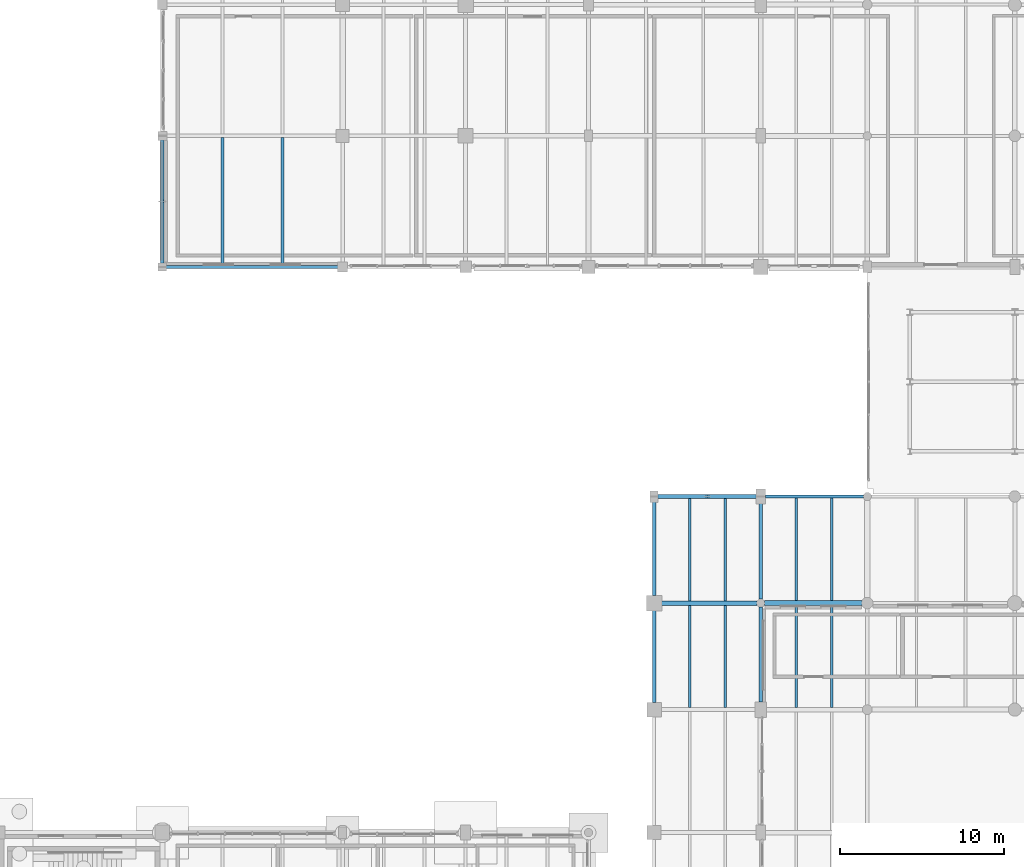
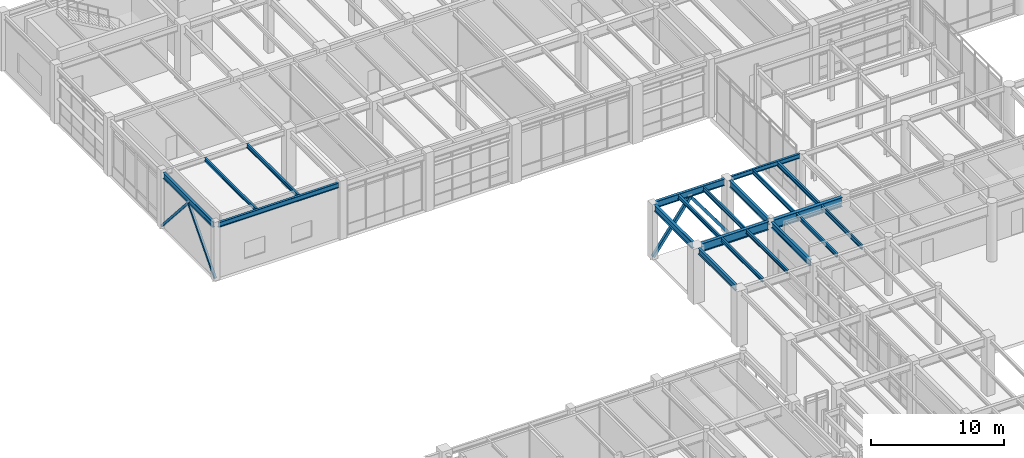
# One storey, part 59 of 203: 20 beams, 4 members.
"""IFC4 building model written with IfcOpenShell, lengths in metres."""

from ifc_helpers import new_model, si_unit, direction, frame, origin, origin_2d, place, context, subcontext, project, spatial, hollow_rectangle, i_section, extrude, material, material_profile, profile_set, type_object, element, save


model = new_model("IFC4")

# Units and contexts
model_context = context("Model", 3, precision=1e-05, world=origin(), true_north=direction((0.0, 1.0)))
body_context = subcontext(model_context, "Body", "Model", "MODEL_VIEW")
ifc_project = project(units=[si_unit("LENGTHUNIT", "METRE"), si_unit("AREAUNIT", "SQUARE_METRE"), si_unit("VOLUMEUNIT", "CUBIC_METRE"), si_unit("PLANEANGLEUNIT", "RADIAN"), si_unit("MASSUNIT", "GRAM", prefix="KILO"), si_unit("THERMODYNAMICTEMPERATUREUNIT", "KELVIN"), si_unit("POWERUNIT", "WATT")], contexts=[model_context])

# Site, building, storey
site_placement = place(None, origin())
site = spatial("IfcSite", under=ifc_project, at=site_placement, CompositionType="ELEMENT")
building_placement = place(site_placement, origin())
building = spatial("IfcBuilding", under=site, at=building_placement, Name="Tepalcoro Natatorium and Aquatics Centre", CompositionType="ELEMENT")
storey_placement = place(building_placement, origin())
storey = spatial("IfcBuildingStorey", under=building, at=storey_placement, Name="L00", CompositionType="ELEMENT", Elevation=0.0)

# Beams
ifc_material_1 = material(Name="Steel ASTM A992 Grade 50 (Fy 345 MPa)", Category="steel")
ifc_material_profile_1 = material_profile(ifc_material_1, i_section(OverallWidth=0.2119140625, OverallDepth=0.5439453125, WebThickness=0.012939453125, FlangeThickness=0.02099609375, FilletRadius=0.013916015625, at=origin_2d()), Name="W21X83")
ifc_profile_set_1 = profile_set([ifc_material_profile_1], Name="Steel ASTM A992 Grade 50 (Fy 345 MPa)")
beam_type_1 = type_object("IfcBeamType", Name="BM_W21x83", PredefinedType="BEAM", material=ifc_profile_set_1)
beam_1_placement = place(storey_placement, frame((46.5, 59.4599609375, 4.81298828125), z_axis=(0.0, 1.0, 0.0), x_axis=(-1.0, 0.0, 0.0)))
element("IfcBeam", 1, at=beam_1_placement, inside=storey, type_object=beam_type_1, Name="V1 L00 Grid Girder Y", PredefinedType="BEAM", context=body_context, shape_type="SweptSolid", body=[
    extrude(i_section(OverallWidth=0.2119140625, OverallDepth=0.5439453125, WebThickness=0.012939453125, FlangeThickness=0.02099609375, FilletRadius=0.013916015625, at=origin_2d()), origin(), (0.0, 0.0, 1.0), 5.804931640625),
])
ifc_material_profile_2 = material_profile(ifc_material_1, i_section(OverallWidth=0.22998046875, OverallDepth=0.616943359375, WebThickness=0.012939453125, FlangeThickness=0.02197265625, FilletRadius=0.013916015625, at=origin_2d()), Name="W24X94")
ifc_profile_set_2 = profile_set([ifc_material_profile_2], Name="Steel ASTM A992 Grade 50 (Fy 345 MPa)")
beam_type_2 = type_object("IfcBeamType", Name="BM_W24x94", PredefinedType="BEAM", material=ifc_profile_set_2)
beam_2_placement = place(storey_placement, frame((46.5, 65.735107421875, 4.776611328125), z_axis=(0.0, 1.0, 0.0), x_axis=(-1.0, 0.0, 0.0)))
element("IfcBeam", 2, at=beam_2_placement, inside=storey, type_object=beam_type_2, Name="V1 L00 Grid Girder Y", PredefinedType="BEAM", context=body_context, shape_type="SweptSolid", body=[
    extrude(i_section(OverallWidth=0.22998046875, OverallDepth=0.616943359375, WebThickness=0.012939453125, FlangeThickness=0.02197265625, FilletRadius=0.013916015625, at=origin_2d()), origin(), (0.0, 0.0, 1.0), 5.829833984375),
])
ifc_material_profile_3 = material_profile(ifc_material_1, i_section(OverallWidth=0.26708984375, OverallDepth=0.761962890625, WebThickness=0.013916015625, FlangeThickness=0.02197265625, FilletRadius=0.013916015625, at=origin_2d()), Name="W30X116")
ifc_profile_set_3 = profile_set([ifc_material_profile_3], Name="Steel ASTM A992 Grade 50 (Fy 345 MPa)")
beam_type_3 = type_object("IfcBeamType", Name="BM_W30x116", PredefinedType="BEAM", material=ifc_profile_set_3)
beam_3_placement = place(storey_placement, frame((40.4599609375, 65.5, 4.7041015625), z_axis=(1.0, 0.0, 0.0), x_axis=(0.0, 1.0, 0.0)))
element("IfcBeam", 3, at=beam_3_placement, inside=storey, type_object=beam_type_3, Name="V1 L00 Grid Girder X", PredefinedType="BEAM", context=body_context, shape_type="SweptSolid", body=[
    extrude(i_section(OverallWidth=0.26708984375, OverallDepth=0.761962890625, WebThickness=0.013916015625, FlangeThickness=0.02197265625, FilletRadius=0.013916015625, at=origin_2d()), origin(), (0.0, 0.0, 1.0), 5.804931640625),
])
ifc_material_profile_4 = material_profile(ifc_material_1, i_section(OverallWidth=0.2919921875, OverallDepth=0.85888671875, WebThickness=0.01708984375, FlangeThickness=0.031005859375, FilletRadius=0.013916015625, at=origin_2d()), Name="W33X169")
ifc_profile_set_4 = profile_set([ifc_material_profile_4], Name="Steel ASTM A992 Grade 50 (Fy 345 MPa)")
beam_type_4 = type_object("IfcBeamType", Name="BM_W33x169", PredefinedType="BEAM", material=ifc_profile_set_4)
beam_4_placement = place(storey_placement, frame((46.735107421875, 65.5, 4.655517578125), z_axis=(1.0, 0.0, 0.0), x_axis=(0.0, 1.0, 0.0)))
element("IfcBeam", 4, at=beam_4_placement, inside=storey, type_object=beam_type_4, Name="V1 L00 Grid Girder X", PredefinedType="BEAM", context=body_context, shape_type="SweptSolid", body=[
    extrude(i_section(OverallWidth=0.2919921875, OverallDepth=0.85888671875, WebThickness=0.01708984375, FlangeThickness=0.031005859375, FilletRadius=0.013916015625, at=origin_2d()), origin(), (0.0, 0.0, 1.0), 5.929931640625),
])
ifc_material_profile_5 = material_profile(ifc_material_1, i_section(OverallWidth=0.1669921875, OverallDepth=0.318115234375, WebThickness=0.008056640625, FlangeThickness=0.012939453125, FilletRadius=0.013916015625, at=origin_2d()), Name="W12X35")
ifc_profile_set_5 = profile_set([ifc_material_profile_5], Name="Steel ASTM A992 Grade 50 (Fy 345 MPa)")
beam_type_5 = type_object("IfcBeamType", Name="JS_W12x35", PredefinedType="JOIST", material=ifc_profile_set_5)
beam_5_placement = place(storey_placement, frame((13.666748046875, 86.095458984375, 4.986083984375), z_axis=(0.0, 1.0, 0.0), x_axis=(-1.0, 0.0, 0.0)))
element("IfcBeam", 5, at=beam_5_placement, inside=storey, type_object=beam_type_5, Name="V4 L00 Floor Joist", PredefinedType="JOIST", context=body_context, shape_type="SweptSolid", body=[
    extrude(i_section(OverallWidth=0.1669921875, OverallDepth=0.318115234375, WebThickness=0.008056640625, FlangeThickness=0.012939453125, FilletRadius=0.013916015625, at=origin_2d()), origin(), (0.0, 0.0, 1.0), 7.80810546875),
])
ifc_material_profile_6 = material_profile(ifc_material_1, i_section(OverallWidth=0.1708984375, OverallDepth=0.35107421875, WebThickness=0.007080078125, FlangeThickness=0.010009765625, FilletRadius=0.013916015625, at=origin_2d()), Name="W14X30")
ifc_profile_set_6 = profile_set([ifc_material_profile_6], Name="Steel ASTM A992 Grade 50 (Fy 345 MPa)")
beam_type_6 = type_object("IfcBeamType", Name="JS_W14x30", PredefinedType="JOIST", material=ifc_profile_set_6)
beam_6_placement = place(storey_placement, frame((42.166748046875, 59.126953125, 4.909423828125), z_axis=(0.0, 1.0, 0.0), x_axis=(-1.0, 0.0, 0.0)))
element("IfcBeam", 6, at=beam_6_placement, inside=storey, type_object=beam_type_6, Name="V1 L00 Floor Joist", PredefinedType="JOIST", context=body_context, shape_type="SweptSolid", body=[
    extrude(i_section(OverallWidth=0.1708984375, OverallDepth=0.35107421875, WebThickness=0.007080078125, FlangeThickness=0.010009765625, FilletRadius=0.013916015625, at=origin_2d()), origin(), (0.0, 0.0, 1.0), 6.239501953125),
])
beam_7_placement = place(storey_placement, frame((17.333251953125, 86.095458984375, 4.969482421875), z_axis=(0.0, 1.0, 0.0), x_axis=(-1.0, 0.0, 0.0)))
element("IfcBeam", 7, at=beam_7_placement, inside=storey, type_object=beam_type_6, Name="V4 L00 Floor Joist", PredefinedType="JOIST", context=body_context, shape_type="SweptSolid", body=[
    extrude(i_section(OverallWidth=0.1708984375, OverallDepth=0.35107421875, WebThickness=0.007080078125, FlangeThickness=0.010009765625, FilletRadius=0.013916015625, at=origin_2d()), origin(), (0.0, 0.0, 1.0), 7.80810546875),
])
ifc_material_profile_7 = material_profile(ifc_material_1, i_section(OverallWidth=0.172119140625, OverallDepth=0.35791015625, WebThickness=0.008056640625, FlangeThickness=0.012939453125, FilletRadius=0.013916015625, at=origin_2d()), Name="W14X38")
ifc_profile_set_7 = profile_set([ifc_material_profile_7], Name="Steel ASTM A992 Grade 50 (Fy 345 MPa)")
beam_type_7 = type_object("IfcBeamType", Name="JS_W14x38", PredefinedType="JOIST", material=ifc_profile_set_7)
beam_8_placement = place(storey_placement, frame((44.333251953125, 59.126953125, 4.906005859375), z_axis=(0.0, 1.0, 0.0), x_axis=(-1.0, 0.0, 0.0)))
element("IfcBeam", 8, at=beam_8_placement, inside=storey, type_object=beam_type_7, Name="V1 L00 Floor Joist", PredefinedType="JOIST", context=body_context, shape_type="SweptSolid", body=[
    extrude(i_section(OverallWidth=0.172119140625, OverallDepth=0.35791015625, WebThickness=0.008056640625, FlangeThickness=0.012939453125, FilletRadius=0.013916015625, at=origin_2d()), origin(), (0.0, 0.0, 1.0), 6.239501953125),
])
beam_9_placement = place(storey_placement, frame((42.166748046875, 65.633544921875, 4.906005859375), z_axis=(0.0, 1.0, 0.0), x_axis=(-1.0, 0.0, 0.0)))
element("IfcBeam", 9, at=beam_9_placement, inside=storey, type_object=beam_type_7, Name="V1 L00 Floor Joist", PredefinedType="JOIST", context=body_context, shape_type="SweptSolid", body=[
    extrude(i_section(OverallWidth=0.172119140625, OverallDepth=0.35791015625, WebThickness=0.008056640625, FlangeThickness=0.012939453125, FilletRadius=0.013916015625, at=origin_2d()), origin(), (0.0, 0.0, 1.0), 6.251953125),
])
beam_10_placement = place(storey_placement, frame((48.666748046875, 59.14599609375, 4.906005859375), z_axis=(0.0, 1.0, 0.0), x_axis=(-1.0, 0.0, 0.0)))
element("IfcBeam", 10, at=beam_10_placement, inside=storey, type_object=beam_type_7, Name="V1 L00 Floor Joist", PredefinedType="JOIST", context=body_context, shape_type="SweptSolid", body=[
    extrude(i_section(OverallWidth=0.172119140625, OverallDepth=0.35791015625, WebThickness=0.008056640625, FlangeThickness=0.012939453125, FilletRadius=0.013916015625, at=origin_2d()), origin(), (0.0, 0.0, 1.0), 6.2080078125),
])
ifc_material_profile_8 = material_profile(ifc_material_1, i_section(OverallWidth=0.139892578125, OverallDepth=0.404052734375, WebThickness=0.007080078125, FlangeThickness=0.010986328125, FilletRadius=0.013916015625, at=origin_2d()), Name="W16X31")
ifc_profile_set_8 = profile_set([ifc_material_profile_8], Name="Steel ASTM A992 Grade 50 (Fy 345 MPa)")
beam_type_8 = type_object("IfcBeamType", Name="JS_W16x31", PredefinedType="JOIST", material=ifc_profile_set_8)
beam_11_placement = place(storey_placement, frame((44.333251953125, 65.633544921875, 4.883056640625), z_axis=(0.0, 1.0, 0.0), x_axis=(-1.0, 0.0, 0.0)))
element("IfcBeam", 11, at=beam_11_placement, inside=storey, type_object=beam_type_8, Name="V1 L00 Floor Joist", PredefinedType="JOIST", context=body_context, shape_type="SweptSolid", body=[
    extrude(i_section(OverallWidth=0.139892578125, OverallDepth=0.404052734375, WebThickness=0.007080078125, FlangeThickness=0.010986328125, FilletRadius=0.013916015625, at=origin_2d()), origin(), (0.0, 0.0, 1.0), 6.251953125),
])
beam_12_placement = place(storey_placement, frame((50.833251953125, 59.14599609375, 4.883056640625), z_axis=(0.0, 1.0, 0.0), x_axis=(-1.0, 0.0, 0.0)))
element("IfcBeam", 12, at=beam_12_placement, inside=storey, type_object=beam_type_8, Name="V1 L00 Floor Joist", PredefinedType="JOIST", context=body_context, shape_type="SweptSolid", body=[
    extrude(i_section(OverallWidth=0.139892578125, OverallDepth=0.404052734375, WebThickness=0.007080078125, FlangeThickness=0.010986328125, FilletRadius=0.013916015625, at=origin_2d()), origin(), (0.0, 0.0, 1.0), 6.2080078125),
])
beam_13_placement = place(storey_placement, frame((48.666748046875, 65.64599609375, 4.883056640625), z_axis=(0.0, 1.0, 0.0), x_axis=(-1.0, 0.0, 0.0)))
element("IfcBeam", 13, at=beam_13_placement, inside=storey, type_object=beam_type_8, Name="V1 L00 Floor Joist", PredefinedType="JOIST", context=body_context, shape_type="SweptSolid", body=[
    extrude(i_section(OverallWidth=0.139892578125, OverallDepth=0.404052734375, WebThickness=0.007080078125, FlangeThickness=0.010986328125, FilletRadius=0.013916015625, at=origin_2d()), origin(), (0.0, 0.0, 1.0), 6.263916015625),
])
ifc_material_profile_9 = material_profile(ifc_material_1, i_section(OverallWidth=0.178955078125, OverallDepth=0.409912109375, WebThickness=0.009033203125, FlangeThickness=0.013916015625, FilletRadius=0.013916015625, at=origin_2d()), Name="W16X45")
ifc_profile_set_9 = profile_set([ifc_material_profile_9], Name="Steel ASTM A992 Grade 50 (Fy 345 MPa)")
beam_type_9 = type_object("IfcBeamType", Name="JS_W16x45", PredefinedType="JOIST", material=ifc_profile_set_9)
beam_14_placement = place(storey_placement, frame((50.833251953125, 65.64599609375, 4.8798828125), z_axis=(0.0, 1.0, 0.0), x_axis=(-1.0, 0.0, 0.0)))
element("IfcBeam", 14, at=beam_14_placement, inside=storey, type_object=beam_type_9, Name="V1 L00 Floor Joist", PredefinedType="JOIST", context=body_context, shape_type="SweptSolid", body=[
    extrude(i_section(OverallWidth=0.178955078125, OverallDepth=0.409912109375, WebThickness=0.009033203125, FlangeThickness=0.013916015625, FilletRadius=0.013916015625, at=origin_2d()), origin(), (0.0, 0.0, 1.0), 6.263916015625),
])

# Members
ifc_material_2 = material(Name="Hollow Steel ASTM A500 Grade C (Fy 345 MPa)", Category="steel")
ifc_material_profile_10 = material_profile(ifc_material_2, hollow_rectangle(XDim=0.199951171875, YDim=0.199951171875, WallThickness=0.011962890625, at=origin_2d()), Name="HSS200X200X12")
ifc_profile_set_10 = profile_set([ifc_material_profile_10], Name="Hollow Steel ASTM A500 Grade C (Fy 345 MPa)")
member_type_1 = type_object("IfcMemberType", Name="MB_BR_HSS200x200x12", PredefinedType="BRACE", material=ifc_profile_set_10)
for number, where, z_axis, x_axis, name in (
    (15, (10.0, 86.0, 0.050048828125), (0.0, 0.661071650525, 0.750322779124), (-1.0, 0.0, 0.0), "V4 L00 Chevron Lateral Brace"),
    (16, (10.0, 94.0, 0.050048828125), (0.0, -0.661071650525, 0.750322779124), (1.0, 0.0, 0.0), "V4 L00 Chevron Lateral Brace"),
):
    element("IfcMember", number, at=place(storey_placement, frame(where, z_axis=z_axis, x_axis=x_axis)), inside=storey, type_object=member_type_1, Name=name, PredefinedType="BRACE", context=body_context, shape_type="SweptSolid", body=[
        extrude(hollow_rectangle(XDim=0.199951171875, YDim=0.199951171875, WallThickness=0.011962890625, at=origin_2d()), origin(), (0.0, 0.0, 1.0), 6.05078125),
    ])
ifc_material_profile_11 = material_profile(ifc_material_2, hollow_rectangle(XDim=0.25, YDim=0.25, WallThickness=0.013916015625, at=origin_2d()), Name="HSS250X250X14")
ifc_profile_set_11 = profile_set([ifc_material_profile_11], Name="Hollow Steel ASTM A500 Grade C (Fy 345 MPa)")
member_type_2 = type_object("IfcMemberType", Name="MB_BR_HSS250x250x14", PredefinedType="BRACE", material=ifc_profile_set_11)
for number, where, z_axis, x_axis, name in (
    (17, (40.0, 72.0, 0.050048828125), (0.593268965978, 0.0, 0.805004306825), (0.0, 1.0, 0.0), "V1 L00 Chevron Lateral Brace"),
    (18, (46.5, 72.0, 0.050048828125), (-0.593268965978, 0.0, 0.805004306825), (0.0, -1.0, 0.0), "V1 L00 Chevron Lateral Brace"),
):
    element("IfcMember", number, at=place(storey_placement, frame(where, z_axis=z_axis, x_axis=x_axis)), inside=storey, type_object=member_type_2, Name=name, PredefinedType="BRACE", context=body_context, shape_type="SweptSolid", body=[
        extrude(hollow_rectangle(XDim=0.25, YDim=0.25, WallThickness=0.013916015625, at=origin_2d()), origin(), (0.0, 0.0, 1.0), 5.47802734375),
    ])

# Beams
ifc_material_profile_12 = material_profile(ifc_material_1, i_section(OverallWidth=0.179931640625, OverallDepth=0.4130859375, WebThickness=0.010009765625, FlangeThickness=0.01611328125, FilletRadius=0.013916015625, at=origin_2d()), Name="W16X50")
ifc_profile_set_12 = profile_set([ifc_material_profile_12], Name="Steel ASTM A992 Grade 50 (Fy 345 MPa)")
beam_type_10 = type_object("IfcBeamType", Name="SP_HSS300x200x12", PredefinedType="SPANDREL", material=ifc_profile_set_12)
beam_15_placement = place(storey_placement, frame((46.784912109375, 72.0, 4.87841796875), z_axis=(1.0, 0.0, 0.0), x_axis=(0.0, 1.0, 0.0)))
element("IfcBeam", 19, at=beam_15_placement, inside=storey, type_object=beam_type_10, Name="V1 L00 Grid Girder X", PredefinedType="SPANDREL", context=body_context, shape_type="SweptSolid", body=[
    extrude(i_section(OverallWidth=0.179931640625, OverallDepth=0.4130859375, WebThickness=0.010009765625, FlangeThickness=0.01611328125, FilletRadius=0.013916015625, at=origin_2d()), origin(), (0.0, 0.0, 1.0), 5.97998046875),
])
ifc_material_profile_13 = material_profile(ifc_material_1, i_section(OverallWidth=0.19091796875, OverallDepth=0.4599609375, WebThickness=0.010009765625, FlangeThickness=0.01611328125, FilletRadius=0.013916015625, at=origin_2d()), Name="W18X55")
ifc_profile_set_13 = profile_set([ifc_material_profile_13], Name="Steel ASTM A992 Grade 50 (Fy 345 MPa)")
beam_type_11 = type_object("IfcBeamType", Name="SP_W18x55", PredefinedType="SPANDREL", material=ifc_profile_set_13)
beam_16_placement = place(storey_placement, frame((10.235107421875, 86.0, 4.9150390625), z_axis=(1.0, 0.0, 0.0), x_axis=(0.0, 1.0, 0.0)))
element("IfcBeam", 20, at=beam_16_placement, inside=storey, type_object=beam_type_11, Name="V4 L00 Grid Girder X", PredefinedType="SPANDREL", context=body_context, shape_type="SweptSolid", body=[
    extrude(i_section(OverallWidth=0.19091796875, OverallDepth=0.4599609375, WebThickness=0.010009765625, FlangeThickness=0.01611328125, FilletRadius=0.013916015625, at=origin_2d()), origin(), (0.0, 0.0, 1.0), 10.47998046875),
])
ifc_material_profile_14 = material_profile(ifc_material_1, i_section(OverallWidth=0.2099609375, OverallDepth=0.535888671875, WebThickness=0.010986328125, FlangeThickness=0.01708984375, FilletRadius=0.013916015625, at=origin_2d()), Name="W21X68")
ifc_profile_set_14 = profile_set([ifc_material_profile_14], Name="Steel ASTM A992 Grade 50 (Fy 345 MPa)")
beam_type_12 = type_object("IfcBeamType", Name="SP_W21x68", PredefinedType="SPANDREL", material=ifc_profile_set_14)
beam_17_placement = place(storey_placement, frame((40.0, 59.43505859375, 4.81689453125), z_axis=(0.0, 1.0, 0.0), x_axis=(-1.0, 0.0, 0.0)))
element("IfcBeam", 21, at=beam_17_placement, inside=storey, type_object=beam_type_12, Name="V1 L00 Grid Girder Y", PredefinedType="SPANDREL", context=body_context, shape_type="SweptSolid", body=[
    extrude(i_section(OverallWidth=0.2099609375, OverallDepth=0.535888671875, WebThickness=0.010986328125, FlangeThickness=0.01708984375, FilletRadius=0.013916015625, at=origin_2d()), origin(), (0.0, 0.0, 1.0), 5.60498046875),
])
beam_18_placement = place(storey_placement, frame((10.0, 86.235107421875, 4.876953125), z_axis=(0.0, 1.0, 0.0), x_axis=(-1.0, 0.0, 0.0)))
element("IfcBeam", 22, at=beam_18_placement, inside=storey, type_object=beam_type_12, Name="V4 L00 Grid Girder Y", PredefinedType="SPANDREL", context=body_context, shape_type="SweptSolid", body=[
    extrude(i_section(OverallWidth=0.2099609375, OverallDepth=0.535888671875, WebThickness=0.010986328125, FlangeThickness=0.01708984375, FilletRadius=0.013916015625, at=origin_2d()), origin(), (0.0, 0.0, 1.0), 7.5048828125),
])
ifc_material_profile_15 = material_profile(ifc_material_1, i_section(OverallWidth=0.22900390625, OverallDepth=0.612060546875, WebThickness=0.011962890625, FlangeThickness=0.02001953125, FilletRadius=0.013916015625, at=origin_2d()), Name="W24X84")
ifc_profile_set_15 = profile_set([ifc_material_profile_15], Name="Steel ASTM A992 Grade 50 (Fy 345 MPa)")
beam_type_13 = type_object("IfcBeamType", Name="SP_W24x84", PredefinedType="SPANDREL", material=ifc_profile_set_15)
beam_19_placement = place(storey_placement, frame((40.235107421875, 72.0, 4.779052734375), z_axis=(1.0, 0.0, 0.0), x_axis=(0.0, 1.0, 0.0)))
element("IfcBeam", 23, at=beam_19_placement, inside=storey, type_object=beam_type_13, Name="V1 L00 Grid Girder X", PredefinedType="SPANDREL", context=body_context, shape_type="SweptSolid", body=[
    extrude(i_section(OverallWidth=0.22900390625, OverallDepth=0.612060546875, WebThickness=0.011962890625, FlangeThickness=0.02001953125, FilletRadius=0.013916015625, at=origin_2d()), origin(), (0.0, 0.0, 1.0), 5.97998046875),
])
beam_20_placement = place(storey_placement, frame((40.0, 65.9599609375, 4.779052734375), z_axis=(0.0, 1.0, 0.0), x_axis=(-1.0, 0.0, 0.0)))
element("IfcBeam", 24, at=beam_20_placement, inside=storey, type_object=beam_type_13, Name="V1 L00 Grid Girder Y", PredefinedType="SPANDREL", context=body_context, shape_type="SweptSolid", body=[
    extrude(i_section(OverallWidth=0.22900390625, OverallDepth=0.612060546875, WebThickness=0.011962890625, FlangeThickness=0.02001953125, FilletRadius=0.013916015625, at=origin_2d()), origin(), (0.0, 0.0, 1.0), 5.705078125),
])

save(model, "model.ifc")
